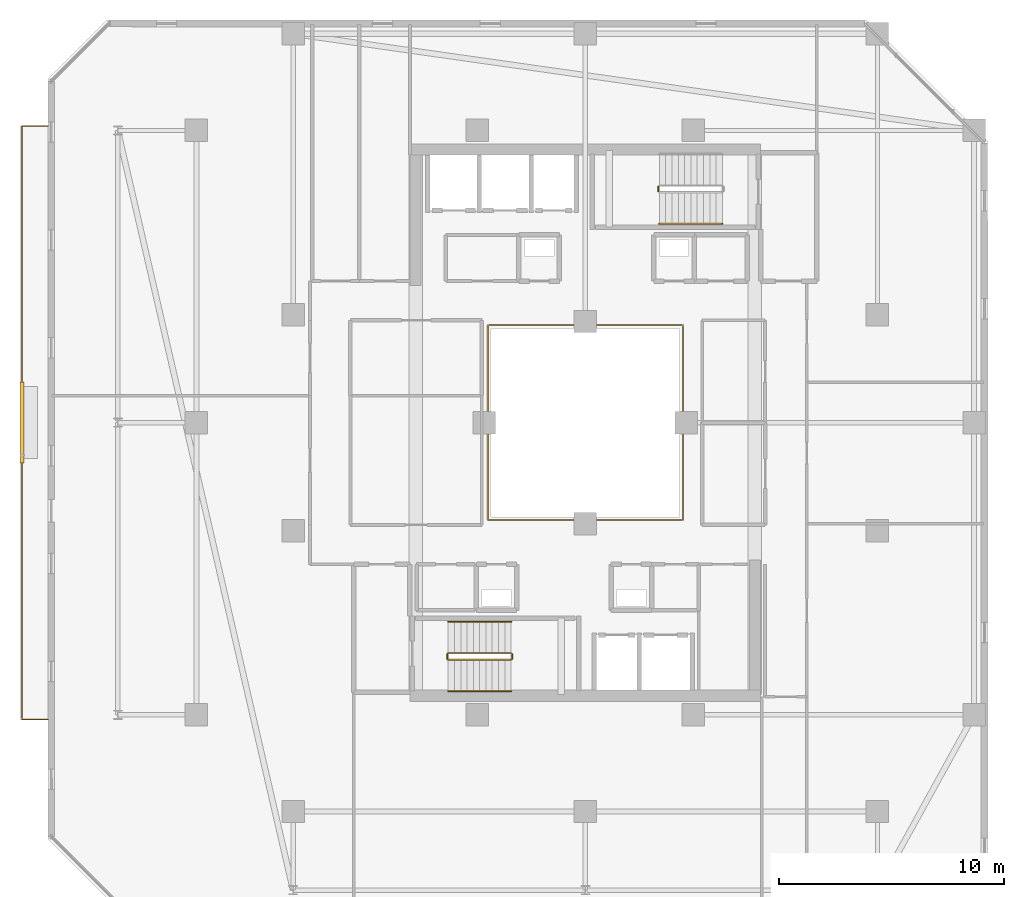
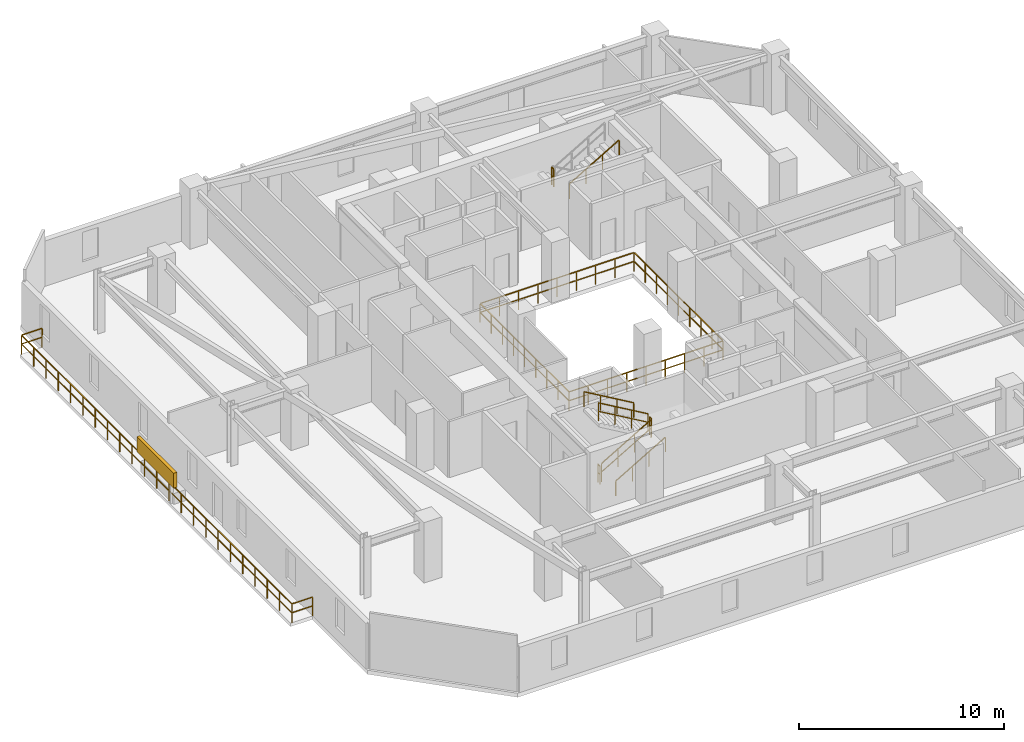
# One storey, part 29 of 32: 10 railings, 1 shading device.
"""IFC4 building model written with IfcOpenShell, lengths in metres."""

from ifc_helpers import new_model, si_unit, direction, frame, origin, origin_2d, place, context, subcontext, project, spatial, rectangle, extrude, material, type_object, element, save


model = new_model("IFC4")

# Units and contexts
model_context = context("Model", 3, precision=1e-05, world=origin(), true_north=direction((0.0, 1.0)))
body_context = subcontext(model_context, "Body", "Model", "MODEL_VIEW")
ifc_project = project(units=[si_unit("LENGTHUNIT", "METRE"), si_unit("AREAUNIT", "SQUARE_METRE"), si_unit("VOLUMEUNIT", "CUBIC_METRE"), si_unit("PLANEANGLEUNIT", "RADIAN"), si_unit("MASSUNIT", "GRAM", prefix="KILO")], contexts=[model_context])

# Site, building, storey
site_placement = place(None, origin())
site = spatial("IfcSite", under=ifc_project, at=site_placement, CompositionType="ELEMENT")
building_placement = place(site_placement, origin())
building = spatial("IfcBuilding", under=site, at=building_placement, Name="Thornwick Lancets Civic Towers", CompositionType="ELEMENT")
storey_placement = place(building_placement, frame((0.0, 0.0, 240.300048828125)))
storey = spatial("IfcBuildingStorey", under=building, at=storey_placement, Name="L64", CompositionType="ELEMENT", Elevation=240.300048828125)

# Railings
ifc_material_1 = material(Name="Laminated glass and bronze steel S355", Category="steel")
railing_type_1 = type_object("IfcRailingType", Name="RAIL_ATRIUM_GUARD", PredefinedType="BALUSTRADE", material=ifc_material_1)
railing_1_placement = place(storey_placement, frame((21.159912109375, 22.659912109375, 0.0)))
element("IfcRailing", 1, at=railing_1_placement, inside=storey, type_object=railing_type_1, Name="L64 Tower A Central Atrium Guard Balustrade", PredefinedType="BALUSTRADE", context=body_context, shape_type="SweptSolid", body=[
    extrude(rectangle(XDim=0.048095703125, YDim=0.048095703125, at=origin_2d()), frame((0.0, 0.0, 1.1259765625), z_axis=(1.0, 0.0, 0.0), x_axis=(0.0, 1.0, 0.0)), (0.0, 0.0, 1.0), 8.64892578125),
    extrude(rectangle(XDim=0.0419921875, YDim=0.0419921875, at=origin_2d()), frame((0.03759765625, 0.0, 0.597900390625), z_axis=(1.0, 0.0, 0.0), x_axis=(0.0, 1.0, 0.0)), (0.0, 0.0, 1.0), 1.010009765625),
    extrude(rectangle(XDim=0.0419921875, YDim=0.0419921875, at=origin_2d()), frame((1.12255859375, 0.0, 0.597900390625), z_axis=(1.0, 0.0, 0.0), x_axis=(0.0, 1.0, 0.0)), (0.0, 0.0, 1.0), 1.010009765625),
    extrude(rectangle(XDim=0.0419921875, YDim=0.0419921875, at=origin_2d()), frame((2.20751953125, 0.0, 0.597900390625), z_axis=(1.0, 0.0, 0.0), x_axis=(0.0, 1.0, 0.0)), (0.0, 0.0, 1.0), 1.010009765625),
    extrude(rectangle(XDim=0.0419921875, YDim=0.0419921875, at=origin_2d()), frame((3.29248046875, 0.0, 0.597900390625), z_axis=(1.0, 0.0, 0.0), x_axis=(0.0, 1.0, 0.0)), (0.0, 0.0, 1.0), 1.010009765625),
    extrude(rectangle(XDim=0.0419921875, YDim=0.0419921875, at=origin_2d()), frame((4.377685546875, 0.0, 0.597900390625), z_axis=(1.0, 0.0, 0.0), x_axis=(0.0, 1.0, 0.0)), (0.0, 0.0, 1.0), 1.010009765625),
    extrude(rectangle(XDim=0.0419921875, YDim=0.0419921875, at=origin_2d()), frame((5.462646484375, 0.0, 0.597900390625), z_axis=(1.0, 0.0, 0.0), x_axis=(0.0, 1.0, 0.0)), (0.0, 0.0, 1.0), 1.010009765625),
    extrude(rectangle(XDim=0.0419921875, YDim=0.0419921875, at=origin_2d()), frame((6.547607421875, 0.0, 0.597900390625), z_axis=(1.0, 0.0, 0.0), x_axis=(0.0, 1.0, 0.0)), (0.0, 0.0, 1.0), 1.010009765625),
    extrude(rectangle(XDim=0.0419921875, YDim=0.0419921875, at=origin_2d()), frame((7.632568359375, 0.0, 0.597900390625), z_axis=(1.0, 0.0, 0.0), x_axis=(0.0, 1.0, 0.0)), (0.0, 0.0, 1.0), 1.010009765625),
    extrude(rectangle(XDim=0.048095703125, YDim=0.048095703125, at=origin_2d()), frame((8.68017578125, 0.03125, 1.1259765625), z_axis=(0.0, 1.0, 0.0), x_axis=(-1.0, 0.0, 0.0)), (0.0, 0.0, 1.0), 8.61767578125),
    extrude(rectangle(XDim=0.0419921875, YDim=0.0419921875, at=origin_2d()), frame((8.68017578125, 0.03759765625, 0.597900390625), z_axis=(0.0, 1.0, 0.0), x_axis=(-1.0, 0.0, 0.0)), (0.0, 0.0, 1.0), 1.010009765625),
    extrude(rectangle(XDim=0.0419921875, YDim=0.0419921875, at=origin_2d()), frame((8.68017578125, 1.12255859375, 0.597900390625), z_axis=(0.0, 1.0, 0.0), x_axis=(-1.0, 0.0, 0.0)), (0.0, 0.0, 1.0), 1.010009765625),
    extrude(rectangle(XDim=0.0419921875, YDim=0.0419921875, at=origin_2d()), frame((8.68017578125, 2.20751953125, 0.597900390625), z_axis=(0.0, 1.0, 0.0), x_axis=(-1.0, 0.0, 0.0)), (0.0, 0.0, 1.0), 1.010009765625),
    extrude(rectangle(XDim=0.0419921875, YDim=0.0419921875, at=origin_2d()), frame((8.68017578125, 3.29248046875, 0.597900390625), z_axis=(0.0, 1.0, 0.0), x_axis=(-1.0, 0.0, 0.0)), (0.0, 0.0, 1.0), 1.010009765625),
    extrude(rectangle(XDim=0.0419921875, YDim=0.0419921875, at=origin_2d()), frame((8.68017578125, 4.377685546875, 0.597900390625), z_axis=(0.0, 1.0, 0.0), x_axis=(-1.0, 0.0, 0.0)), (0.0, 0.0, 1.0), 1.010009765625),
    extrude(rectangle(XDim=0.0419921875, YDim=0.0419921875, at=origin_2d()), frame((8.68017578125, 5.462646484375, 0.597900390625), z_axis=(0.0, 1.0, 0.0), x_axis=(-1.0, 0.0, 0.0)), (0.0, 0.0, 1.0), 1.010009765625),
    extrude(rectangle(XDim=0.0419921875, YDim=0.0419921875, at=origin_2d()), frame((8.68017578125, 6.547607421875, 0.597900390625), z_axis=(0.0, 1.0, 0.0), x_axis=(-1.0, 0.0, 0.0)), (0.0, 0.0, 1.0), 1.010009765625),
    extrude(rectangle(XDim=0.0419921875, YDim=0.0419921875, at=origin_2d()), frame((8.68017578125, 7.632568359375, 0.597900390625), z_axis=(0.0, 1.0, 0.0), x_axis=(-1.0, 0.0, 0.0)), (0.0, 0.0, 1.0), 1.010009765625),
    extrude(rectangle(XDim=0.048095703125, YDim=0.048095703125, at=origin_2d()), frame((8.64892578125, 8.68017578125, 1.1259765625), z_axis=(-1.0, 0.0, 0.0), x_axis=(0.0, -1.0, 0.0)), (0.0, 0.0, 1.0), 8.61767578125),
    extrude(rectangle(XDim=0.0419921875, YDim=0.0419921875, at=origin_2d()), frame((8.642578125, 8.68017578125, 0.597900390625), z_axis=(-1.0, 0.0, 0.0), x_axis=(0.0, -1.0, 0.0)), (0.0, 0.0, 1.0), 1.010009765625),
    extrude(rectangle(XDim=0.0419921875, YDim=0.0419921875, at=origin_2d()), frame((7.5576171875, 8.68017578125, 0.597900390625), z_axis=(-1.0, 0.0, 0.0), x_axis=(0.0, -1.0, 0.0)), (0.0, 0.0, 1.0), 1.010009765625),
    extrude(rectangle(XDim=0.0419921875, YDim=0.0419921875, at=origin_2d()), frame((6.47265625, 8.68017578125, 0.597900390625), z_axis=(-1.0, 0.0, 0.0), x_axis=(0.0, -1.0, 0.0)), (0.0, 0.0, 1.0), 1.010009765625),
    extrude(rectangle(XDim=0.0419921875, YDim=0.0419921875, at=origin_2d()), frame((5.3876953125, 8.68017578125, 0.597900390625), z_axis=(-1.0, 0.0, 0.0), x_axis=(0.0, -1.0, 0.0)), (0.0, 0.0, 1.0), 1.010009765625),
    extrude(rectangle(XDim=0.0419921875, YDim=0.0419921875, at=origin_2d()), frame((4.302490234375, 8.68017578125, 0.597900390625), z_axis=(-1.0, 0.0, 0.0), x_axis=(0.0, -1.0, 0.0)), (0.0, 0.0, 1.0), 1.010009765625),
    extrude(rectangle(XDim=0.0419921875, YDim=0.0419921875, at=origin_2d()), frame((3.217529296875, 8.68017578125, 0.597900390625), z_axis=(-1.0, 0.0, 0.0), x_axis=(0.0, -1.0, 0.0)), (0.0, 0.0, 1.0), 1.010009765625),
    extrude(rectangle(XDim=0.0419921875, YDim=0.0419921875, at=origin_2d()), frame((2.132568359375, 8.68017578125, 0.597900390625), z_axis=(-1.0, 0.0, 0.0), x_axis=(0.0, -1.0, 0.0)), (0.0, 0.0, 1.0), 1.010009765625),
    extrude(rectangle(XDim=0.0419921875, YDim=0.0419921875, at=origin_2d()), frame((1.047607421875, 8.68017578125, 0.597900390625), z_axis=(-1.0, 0.0, 0.0), x_axis=(0.0, -1.0, 0.0)), (0.0, 0.0, 1.0), 1.010009765625),
    extrude(rectangle(XDim=0.048095703125, YDim=0.048095703125, at=origin_2d()), frame((0.0, 8.64892578125, 1.1259765625), z_axis=(0.0, -1.0, 0.0), x_axis=(1.0, 0.0, 0.0)), (0.0, 0.0, 1.0), 8.64892578125),
    extrude(rectangle(XDim=0.0419921875, YDim=0.0419921875, at=origin_2d()), frame((0.0, 8.642578125, 0.597900390625), z_axis=(0.0, -1.0, 0.0), x_axis=(1.0, 0.0, 0.0)), (0.0, 0.0, 1.0), 1.010009765625),
    extrude(rectangle(XDim=0.0419921875, YDim=0.0419921875, at=origin_2d()), frame((0.0, 7.5576171875, 0.597900390625), z_axis=(0.0, -1.0, 0.0), x_axis=(1.0, 0.0, 0.0)), (0.0, 0.0, 1.0), 1.010009765625),
    extrude(rectangle(XDim=0.0419921875, YDim=0.0419921875, at=origin_2d()), frame((0.0, 6.47265625, 0.597900390625), z_axis=(0.0, -1.0, 0.0), x_axis=(1.0, 0.0, 0.0)), (0.0, 0.0, 1.0), 1.010009765625),
    extrude(rectangle(XDim=0.0419921875, YDim=0.0419921875, at=origin_2d()), frame((0.0, 5.3876953125, 0.597900390625), z_axis=(0.0, -1.0, 0.0), x_axis=(1.0, 0.0, 0.0)), (0.0, 0.0, 1.0), 1.010009765625),
    extrude(rectangle(XDim=0.0419921875, YDim=0.0419921875, at=origin_2d()), frame((0.0, 4.302490234375, 0.597900390625), z_axis=(0.0, -1.0, 0.0), x_axis=(1.0, 0.0, 0.0)), (0.0, 0.0, 1.0), 1.010009765625),
    extrude(rectangle(XDim=0.0419921875, YDim=0.0419921875, at=origin_2d()), frame((0.0, 3.217529296875, 0.597900390625), z_axis=(0.0, -1.0, 0.0), x_axis=(1.0, 0.0, 0.0)), (0.0, 0.0, 1.0), 1.010009765625),
    extrude(rectangle(XDim=0.0419921875, YDim=0.0419921875, at=origin_2d()), frame((0.0, 2.132568359375, 0.597900390625), z_axis=(0.0, -1.0, 0.0), x_axis=(1.0, 0.0, 0.0)), (0.0, 0.0, 1.0), 1.010009765625),
    extrude(rectangle(XDim=0.0419921875, YDim=0.0419921875, at=origin_2d()), frame((0.0, 1.047607421875, 0.597900390625), z_axis=(0.0, -1.0, 0.0), x_axis=(1.0, 0.0, 0.0)), (0.0, 0.0, 1.0), 1.010009765625),
    extrude(rectangle(XDim=0.0419921875, YDim=0.0419921875, at=origin_2d()), origin(), (0.0, 0.0, 1.0), 1.095703125),
    extrude(rectangle(XDim=0.0419921875, YDim=0.0419921875, at=origin_2d()), frame((1.0849609375, 0.0, 0.0)), (0.0, 0.0, 1.0), 1.095703125),
    extrude(rectangle(XDim=0.0419921875, YDim=0.0419921875, at=origin_2d()), frame((2.169921875, 0.0, 0.0)), (0.0, 0.0, 1.0), 1.095703125),
    extrude(rectangle(XDim=0.0419921875, YDim=0.0419921875, at=origin_2d()), frame((3.255126953125, 0.0, 0.0)), (0.0, 0.0, 1.0), 1.095703125),
    extrude(rectangle(XDim=0.0419921875, YDim=0.0419921875, at=origin_2d()), frame((4.340087890625, 0.0, 0.0)), (0.0, 0.0, 1.0), 1.095703125),
    extrude(rectangle(XDim=0.0419921875, YDim=0.0419921875, at=origin_2d()), frame((5.425048828125, 0.0, 0.0)), (0.0, 0.0, 1.0), 1.095703125),
    extrude(rectangle(XDim=0.0419921875, YDim=0.0419921875, at=origin_2d()), frame((6.51025390625, 0.0, 0.0)), (0.0, 0.0, 1.0), 1.095703125),
    extrude(rectangle(XDim=0.0419921875, YDim=0.0419921875, at=origin_2d()), frame((7.59521484375, 0.0, 0.0)), (0.0, 0.0, 1.0), 1.095703125),
    extrude(rectangle(XDim=0.0419921875, YDim=0.0419921875, at=origin_2d()), frame((8.68017578125, 0.0, 0.0)), (0.0, 0.0, 1.0), 1.095703125),
    extrude(rectangle(XDim=0.0419921875, YDim=0.0419921875, at=origin_2d()), frame((8.68017578125, 1.0849609375, 0.0)), (0.0, 0.0, 1.0), 1.095703125),
    extrude(rectangle(XDim=0.0419921875, YDim=0.0419921875, at=origin_2d()), frame((8.68017578125, 2.169921875, 0.0)), (0.0, 0.0, 1.0), 1.095703125),
    extrude(rectangle(XDim=0.0419921875, YDim=0.0419921875, at=origin_2d()), frame((8.68017578125, 3.255126953125, 0.0)), (0.0, 0.0, 1.0), 1.095703125),
    extrude(rectangle(XDim=0.0419921875, YDim=0.0419921875, at=origin_2d()), frame((8.68017578125, 4.340087890625, 0.0)), (0.0, 0.0, 1.0), 1.095703125),
    extrude(rectangle(XDim=0.0419921875, YDim=0.0419921875, at=origin_2d()), frame((8.68017578125, 5.425048828125, 0.0)), (0.0, 0.0, 1.0), 1.095703125),
    extrude(rectangle(XDim=0.0419921875, YDim=0.0419921875, at=origin_2d()), frame((8.68017578125, 6.51025390625, 0.0)), (0.0, 0.0, 1.0), 1.095703125),
    extrude(rectangle(XDim=0.0419921875, YDim=0.0419921875, at=origin_2d()), frame((8.68017578125, 7.59521484375, 0.0)), (0.0, 0.0, 1.0), 1.095703125),
    extrude(rectangle(XDim=0.0419921875, YDim=0.0419921875, at=origin_2d()), frame((8.68017578125, 8.68017578125, 0.0)), (0.0, 0.0, 1.0), 1.095703125),
    extrude(rectangle(XDim=0.0419921875, YDim=0.0419921875, at=origin_2d()), frame((7.59521484375, 8.68017578125, 0.0)), (0.0, 0.0, 1.0), 1.095703125),
    extrude(rectangle(XDim=0.0419921875, YDim=0.0419921875, at=origin_2d()), frame((6.51025390625, 8.68017578125, 0.0)), (0.0, 0.0, 1.0), 1.095703125),
    extrude(rectangle(XDim=0.0419921875, YDim=0.0419921875, at=origin_2d()), frame((5.425048828125, 8.68017578125, 0.0)), (0.0, 0.0, 1.0), 1.095703125),
    extrude(rectangle(XDim=0.0419921875, YDim=0.0419921875, at=origin_2d()), frame((4.340087890625, 8.68017578125, 0.0)), (0.0, 0.0, 1.0), 1.095703125),
    extrude(rectangle(XDim=0.0419921875, YDim=0.0419921875, at=origin_2d()), frame((3.255126953125, 8.68017578125, 0.0)), (0.0, 0.0, 1.0), 1.095703125),
    extrude(rectangle(XDim=0.0419921875, YDim=0.0419921875, at=origin_2d()), frame((2.169921875, 8.68017578125, 0.0)), (0.0, 0.0, 1.0), 1.095703125),
    extrude(rectangle(XDim=0.0419921875, YDim=0.0419921875, at=origin_2d()), frame((1.0849609375, 8.68017578125, 0.0)), (0.0, 0.0, 1.0), 1.095703125),
    extrude(rectangle(XDim=0.0419921875, YDim=0.0419921875, at=origin_2d()), frame((0.0, 8.68017578125, 0.0)), (0.0, 0.0, 1.0), 1.095703125),
    extrude(rectangle(XDim=0.0419921875, YDim=0.0419921875, at=origin_2d()), frame((0.0, 7.59521484375, 0.0)), (0.0, 0.0, 1.0), 1.095703125),
    extrude(rectangle(XDim=0.0419921875, YDim=0.0419921875, at=origin_2d()), frame((0.0, 6.51025390625, 0.0)), (0.0, 0.0, 1.0), 1.095703125),
    extrude(rectangle(XDim=0.0419921875, YDim=0.0419921875, at=origin_2d()), frame((0.0, 5.425048828125, 0.0)), (0.0, 0.0, 1.0), 1.095703125),
    extrude(rectangle(XDim=0.0419921875, YDim=0.0419921875, at=origin_2d()), frame((0.0, 4.340087890625, 0.0)), (0.0, 0.0, 1.0), 1.095703125),
    extrude(rectangle(XDim=0.0419921875, YDim=0.0419921875, at=origin_2d()), frame((0.0, 3.255126953125, 0.0)), (0.0, 0.0, 1.0), 1.095703125),
    extrude(rectangle(XDim=0.0419921875, YDim=0.0419921875, at=origin_2d()), frame((0.0, 2.169921875, 0.0)), (0.0, 0.0, 1.0), 1.095703125),
    extrude(rectangle(XDim=0.0419921875, YDim=0.0419921875, at=origin_2d()), frame((0.0, 1.0849609375, 0.0)), (0.0, 0.0, 1.0), 1.095703125),
])
ifc_material_2 = material(Name="Brushed stainless steel S355", Category="steel")
railing_type_2 = type_object("IfcRailingType", Name="RAIL_HANDRAIL", PredefinedType="HANDRAIL", material=ifc_material_2)
railing_2_placement = place(storey_placement, frame((19.39990234375, 15.050048828125, 0.16357421875)))
element("IfcRailing", 2, at=railing_2_placement, inside=storey, type_object=railing_type_2, Name="L64 ST-A1 stair handrail 1", PredefinedType="HANDRAIL", context=body_context, shape_type="SweptSolid", body=[
    extrude(rectangle(XDim=0.048095703125, YDim=0.048095703125, at=origin_2d()), frame((0.0, 0.0, 0.8857421875), z_axis=(0.863360870873, 0.0, 0.504586966384), x_axis=(0.0, 1.0, 0.0)), (0.0, 0.0, 1.0), 3.2431640625),
    extrude(rectangle(XDim=0.0419921875, YDim=0.0419921875, at=origin_2d()), origin(), (0.0, 0.0, 1.0), 0.855712890625),
    extrude(rectangle(XDim=0.0419921875, YDim=0.0419921875, at=origin_2d()), frame((0.933349609375, 0.0, 0.54541015625)), (0.0, 0.0, 1.0), 0.855712890625),
    extrude(rectangle(XDim=0.0419921875, YDim=0.0419921875, at=origin_2d()), frame((1.86669921875, 0.0, 1.091064453125)), (0.0, 0.0, 1.0), 0.855712890625),
    extrude(rectangle(XDim=0.0419921875, YDim=0.0419921875, at=origin_2d()), frame((2.800048828125, 0.0, 1.636474609375)), (0.0, 0.0, 1.0), 0.855712890625),
])
railing_3_placement = place(storey_placement, frame((22.199951171875, 18.14990234375, 1.963623046875)))
element("IfcRailing", 3, at=railing_3_placement, inside=storey, type_object=railing_type_2, Name="L64 ST-A1 stair handrail 2", PredefinedType="HANDRAIL", context=body_context, shape_type="SweptSolid", body=[
    extrude(rectangle(XDim=0.048095703125, YDim=0.048095703125, at=origin_2d()), frame((0.0, 0.0, 0.8857421875), z_axis=(-0.863393664356, 0.0, 0.504530851732), x_axis=(0.0, -1.0, 0.0)), (0.0, 0.0, 1.0), 3.2431640625),
    extrude(rectangle(XDim=0.0419921875, YDim=0.0419921875, at=origin_2d()), origin(), (0.0, 0.0, 1.0), 0.855712890625),
    extrude(rectangle(XDim=0.0419921875, YDim=0.0419921875, at=origin_2d()), frame((-0.933349609375, 0.0, 0.54541015625)), (0.0, 0.0, 1.0), 0.855712890625),
    extrude(rectangle(XDim=0.0419921875, YDim=0.0419921875, at=origin_2d()), frame((-1.86669921875, 0.0, 1.0908203125)), (0.0, 0.0, 1.0), 0.855712890625),
    extrude(rectangle(XDim=0.0419921875, YDim=0.0419921875, at=origin_2d()), frame((-2.800048828125, 0.0, 1.63623046875)), (0.0, 0.0, 1.0), 0.855712890625),
])
railing_4_placement = place(storey_placement, frame((28.800048828125, 35.85009765625, 1.963623046875)))
element("IfcRailing", 4, at=railing_4_placement, inside=storey, type_object=railing_type_2, Name="L64 ST-A2 stair handrail 2", PredefinedType="HANDRAIL", context=body_context, shape_type="SweptSolid", body=[
    extrude(rectangle(XDim=0.048095703125, YDim=0.048095703125, at=origin_2d()), frame((0.0, 0.0, 0.8857421875), z_axis=(0.863393664356, 0.0, 0.504530851732), x_axis=(0.0, 1.0, 0.0)), (0.0, 0.0, 1.0), 3.2431640625),
    extrude(rectangle(XDim=0.0419921875, YDim=0.0419921875, at=origin_2d()), origin(), (0.0, 0.0, 1.0), 0.855712890625),
    extrude(rectangle(XDim=0.0419921875, YDim=0.0419921875, at=origin_2d()), frame((0.933349609375, 0.0, 0.54541015625)), (0.0, 0.0, 1.0), 0.855712890625),
    extrude(rectangle(XDim=0.0419921875, YDim=0.0419921875, at=origin_2d()), frame((1.86669921875, 0.0, 1.0908203125)), (0.0, 0.0, 1.0), 0.855712890625),
    extrude(rectangle(XDim=0.0419921875, YDim=0.0419921875, at=origin_2d()), frame((2.800048828125, 0.0, 1.63623046875)), (0.0, 0.0, 1.0), 0.855712890625),
])
ifc_material_3 = material(Name="Steel S355JR", Category="steel")
railing_type_3 = type_object("IfcRailingType", Name="RAIL_STAIR_GUARD", PredefinedType="GUARDRAIL", material=ifc_material_3)
railing_5_placement = place(storey_placement, frame((19.39990234375, 16.449951171875, 0.16357421875)))
element("IfcRailing", 5, at=railing_5_placement, inside=storey, type_object=railing_type_3, Name="L64 ST-A1 stair guard 1", PredefinedType="GUARDRAIL", context=body_context, shape_type="SweptSolid", body=[
    extrude(rectangle(XDim=0.048095703125, YDim=0.048095703125, at=origin_2d()), frame((0.0, 0.0, 1.076171875), z_axis=(0.863360870873, 0.0, 0.504586966384), x_axis=(0.0, 1.0, 0.0)), (0.0, 0.0, 1.0), 3.2431640625),
    extrude(rectangle(XDim=0.0419921875, YDim=0.0419921875, at=origin_2d()), frame((0.032470703125, 0.0, 0.591064453125), z_axis=(0.863360870873, 0.0, 0.504586966384), x_axis=(0.0, 1.0, 0.0)), (0.0, 0.0, 1.0), 1.006103515625),
    extrude(rectangle(XDim=0.0419921875, YDim=0.0419921875, at=origin_2d()), frame((0.9658203125, 0.0, 1.136474609375), z_axis=(0.863360870873, 0.0, 0.504586966384), x_axis=(0.0, 1.0, 0.0)), (0.0, 0.0, 1.0), 1.006103515625),
    extrude(rectangle(XDim=0.0419921875, YDim=0.0419921875, at=origin_2d()), frame((1.899169921875, 0.0, 1.681884765625), z_axis=(0.863360870873, 0.0, 0.504586966384), x_axis=(0.0, 1.0, 0.0)), (0.0, 0.0, 1.0), 1.006103515625),
    extrude(rectangle(XDim=0.0419921875, YDim=0.0419921875, at=origin_2d()), origin(), (0.0, 0.0, 1.0), 1.0458984375),
    extrude(rectangle(XDim=0.0419921875, YDim=0.0419921875, at=origin_2d()), frame((0.933349609375, 0.0, 0.54541015625)), (0.0, 0.0, 1.0), 1.0458984375),
    extrude(rectangle(XDim=0.0419921875, YDim=0.0419921875, at=origin_2d()), frame((1.86669921875, 0.0, 1.091064453125)), (0.0, 0.0, 1.0), 1.0458984375),
    extrude(rectangle(XDim=0.0419921875, YDim=0.0419921875, at=origin_2d()), frame((2.800048828125, 0.0, 1.636474609375)), (0.0, 0.0, 1.0), 1.0458984375),
])
railing_6_placement = place(storey_placement, frame((22.25, 16.5, 1.800048828125)))
element("IfcRailing", 6, at=railing_6_placement, inside=storey, type_object=railing_type_3, Name="L64 ST-A1 stair guard 2", PredefinedType="GUARDRAIL", context=body_context, shape_type="SweptSolid", body=[
    extrude(rectangle(XDim=0.048095703125, YDim=0.048095703125, at=origin_2d()), frame((0.0, 0.0, 1.076171875), z_axis=(0.0, 1.0, 0.0), x_axis=(-1.0, 0.0, 0.0)), (0.0, 0.0, 1.0), 0.199951171875),
    extrude(rectangle(XDim=0.0419921875, YDim=0.0419921875, at=origin_2d()), frame((0.0, 0.03759765625, 0.572021484375), z_axis=(0.0, 1.0, 0.0), x_axis=(-1.0, 0.0, 0.0)), (0.0, 0.0, 1.0), 0.125),
    extrude(rectangle(XDim=0.0419921875, YDim=0.0419921875, at=origin_2d()), origin(), (0.0, 0.0, 1.0), 1.0458984375),
    extrude(rectangle(XDim=0.0419921875, YDim=0.0419921875, at=origin_2d()), frame((0.0, 0.199951171875, 0.0)), (0.0, 0.0, 1.0), 1.0458984375),
])
railing_7_placement = place(storey_placement, frame((22.199951171875, 16.75, 1.963623046875)))
element("IfcRailing", 7, at=railing_7_placement, inside=storey, type_object=railing_type_3, Name="L64 ST-A1 stair guard 3", PredefinedType="GUARDRAIL", context=body_context, shape_type="SweptSolid", body=[
    extrude(rectangle(XDim=0.048095703125, YDim=0.048095703125, at=origin_2d()), frame((0.0, 0.0, 1.076171875), z_axis=(-0.863393664356, 0.0, 0.504530851732), x_axis=(0.0, -1.0, 0.0)), (0.0, 0.0, 1.0), 3.2431640625),
    extrude(rectangle(XDim=0.0419921875, YDim=0.0419921875, at=origin_2d()), frame((-0.032470703125, 0.0, 0.591064453125), z_axis=(-0.863393664356, 0.0, 0.504530851732), x_axis=(0.0, -1.0, 0.0)), (0.0, 0.0, 1.0), 1.006103515625),
    extrude(rectangle(XDim=0.0419921875, YDim=0.0419921875, at=origin_2d()), frame((-0.9658203125, 0.0, 1.136474609375), z_axis=(-0.863393664356, 0.0, 0.504530851732), x_axis=(0.0, -1.0, 0.0)), (0.0, 0.0, 1.0), 1.006103515625),
    extrude(rectangle(XDim=0.0419921875, YDim=0.0419921875, at=origin_2d()), frame((-1.899169921875, 0.0, 1.681884765625), z_axis=(-0.863393664356, 0.0, 0.504530851732), x_axis=(0.0, -1.0, 0.0)), (0.0, 0.0, 1.0), 1.006103515625),
    extrude(rectangle(XDim=0.0419921875, YDim=0.0419921875, at=origin_2d()), origin(), (0.0, 0.0, 1.0), 1.0458984375),
    extrude(rectangle(XDim=0.0419921875, YDim=0.0419921875, at=origin_2d()), frame((-0.933349609375, 0.0, 0.54541015625)), (0.0, 0.0, 1.0), 1.0458984375),
    extrude(rectangle(XDim=0.0419921875, YDim=0.0419921875, at=origin_2d()), frame((-1.86669921875, 0.0, 1.0908203125)), (0.0, 0.0, 1.0), 1.0458984375),
    extrude(rectangle(XDim=0.0419921875, YDim=0.0419921875, at=origin_2d()), frame((-2.800048828125, 0.0, 1.63623046875)), (0.0, 0.0, 1.0), 1.0458984375),
])
railing_8_placement = place(storey_placement, frame((19.35009765625, 16.5, 0.0)))
element("IfcRailing", 8, at=railing_8_placement, inside=storey, type_object=railing_type_3, Name="L64 ST-A1 stair guard 4", PredefinedType="GUARDRAIL", context=body_context, shape_type="SweptSolid", body=[
    extrude(rectangle(XDim=0.048095703125, YDim=0.048095703125, at=origin_2d()), frame((0.0, 0.0, 1.076171875), z_axis=(0.0, 1.0, 0.0), x_axis=(-1.0, 0.0, 0.0)), (0.0, 0.0, 1.0), 0.199951171875),
    extrude(rectangle(XDim=0.0419921875, YDim=0.0419921875, at=origin_2d()), frame((0.0, 0.03759765625, 0.572021484375), z_axis=(0.0, 1.0, 0.0), x_axis=(-1.0, 0.0, 0.0)), (0.0, 0.0, 1.0), 0.125),
    extrude(rectangle(XDim=0.0419921875, YDim=0.0419921875, at=origin_2d()), origin(), (0.0, 0.0, 1.0), 1.0458984375),
    extrude(rectangle(XDim=0.0419921875, YDim=0.0419921875, at=origin_2d()), frame((0.0, 0.199951171875, 0.0)), (0.0, 0.0, 1.0), 1.0458984375),
])
railing_9_placement = place(storey_placement, frame((28.75, 37.5, 1.800048828125)))
element("IfcRailing", 9, at=railing_9_placement, inside=storey, type_object=railing_type_3, Name="L64 ST-A2 stair guard 2", PredefinedType="GUARDRAIL", context=body_context, shape_type="SweptSolid", body=[
    extrude(rectangle(XDim=0.048095703125, YDim=0.048095703125, at=origin_2d()), frame((0.0, 0.0, 1.076171875), z_axis=(0.0, -1.0, 0.0), x_axis=(1.0, 0.0, 0.0)), (0.0, 0.0, 1.0), 0.199951171875),
    extrude(rectangle(XDim=0.0419921875, YDim=0.0419921875, at=origin_2d()), frame((0.0, -0.03759765625, 0.572021484375), z_axis=(0.0, -1.0, 0.0), x_axis=(1.0, 0.0, 0.0)), (0.0, 0.0, 1.0), 0.125),
    extrude(rectangle(XDim=0.0419921875, YDim=0.0419921875, at=origin_2d()), origin(), (0.0, 0.0, 1.0), 1.0458984375),
    extrude(rectangle(XDim=0.0419921875, YDim=0.0419921875, at=origin_2d()), frame((0.0, -0.199951171875, 0.0)), (0.0, 0.0, 1.0), 1.0458984375),
])
ifc_material_4 = material(Name="Terracotta-capped laminated glass balustrade S355", Category="masonry")
railing_type_4 = type_object("IfcRailingType", Name="RAIL_TERR_GUARD", PredefinedType="GUARDRAIL", material=ifc_material_4)
railing_10_placement = place(storey_placement, frame((1.60009765625, 13.800048828125, 0.0)))
element("IfcRailing", 10, at=railing_10_placement, inside=storey, type_object=railing_type_4, Name="L64 Tower A Balcony Guard W", PredefinedType="GUARDRAIL", context=body_context, shape_type="SweptSolid", body=[
    extrude(rectangle(XDim=0.048095703125, YDim=0.048095703125, at=origin_2d()), frame((0.0, 0.0, 1.1259765625), z_axis=(-1.0, 0.0, 0.0), x_axis=(0.0, -1.0, 0.0)), (0.0, 0.0, 1.0), 1.138916015625),
    extrude(rectangle(XDim=0.0419921875, YDim=0.0419921875, at=origin_2d()), frame((-0.03759765625, 0.0, 0.597900390625), z_axis=(-1.0, 0.0, 0.0), x_axis=(0.0, -1.0, 0.0)), (0.0, 0.0, 1.0), 1.09521484375),
    extrude(rectangle(XDim=0.048095703125, YDim=0.048095703125, at=origin_2d()), frame((-1.170166015625, 0.03125, 1.1259765625), z_axis=(0.0, 1.0, 0.0), x_axis=(-1.0, 0.0, 0.0)), (0.0, 0.0, 1.0), 26.33740234375),
    extrude(rectangle(XDim=0.0419921875, YDim=0.0419921875, at=origin_2d()), frame((-1.170166015625, 0.03759765625, 0.597900390625), z_axis=(0.0, 1.0, 0.0), x_axis=(-1.0, 0.0, 0.0)), (0.0, 0.0, 1.0), 1.125),
    extrude(rectangle(XDim=0.0419921875, YDim=0.0419921875, at=origin_2d()), frame((-1.170166015625, 1.237548828125, 0.597900390625), z_axis=(0.0, 1.0, 0.0), x_axis=(-1.0, 0.0, 0.0)), (0.0, 0.0, 1.0), 1.125),
    extrude(rectangle(XDim=0.0419921875, YDim=0.0419921875, at=origin_2d()), frame((-1.170166015625, 2.4375, 0.597900390625), z_axis=(0.0, 1.0, 0.0), x_axis=(-1.0, 0.0, 0.0)), (0.0, 0.0, 1.0), 1.125),
    extrude(rectangle(XDim=0.0419921875, YDim=0.0419921875, at=origin_2d()), frame((-1.170166015625, 3.637451171875, 0.597900390625), z_axis=(0.0, 1.0, 0.0), x_axis=(-1.0, 0.0, 0.0)), (0.0, 0.0, 1.0), 1.125),
    extrude(rectangle(XDim=0.0419921875, YDim=0.0419921875, at=origin_2d()), frame((-1.170166015625, 4.83740234375, 0.597900390625), z_axis=(0.0, 1.0, 0.0), x_axis=(-1.0, 0.0, 0.0)), (0.0, 0.0, 1.0), 1.125),
    extrude(rectangle(XDim=0.0419921875, YDim=0.0419921875, at=origin_2d()), frame((-1.170166015625, 6.037353515625, 0.597900390625), z_axis=(0.0, 1.0, 0.0), x_axis=(-1.0, 0.0, 0.0)), (0.0, 0.0, 1.0), 1.125),
    extrude(rectangle(XDim=0.0419921875, YDim=0.0419921875, at=origin_2d()), frame((-1.170166015625, 7.237548828125, 0.597900390625), z_axis=(0.0, 1.0, 0.0), x_axis=(-1.0, 0.0, 0.0)), (0.0, 0.0, 1.0), 1.125),
    extrude(rectangle(XDim=0.0419921875, YDim=0.0419921875, at=origin_2d()), frame((-1.170166015625, 8.4375, 0.597900390625), z_axis=(0.0, 1.0, 0.0), x_axis=(-1.0, 0.0, 0.0)), (0.0, 0.0, 1.0), 1.125),
    extrude(rectangle(XDim=0.0419921875, YDim=0.0419921875, at=origin_2d()), frame((-1.170166015625, 9.637451171875, 0.597900390625), z_axis=(0.0, 1.0, 0.0), x_axis=(-1.0, 0.0, 0.0)), (0.0, 0.0, 1.0), 1.125),
    extrude(rectangle(XDim=0.0419921875, YDim=0.0419921875, at=origin_2d()), frame((-1.170166015625, 10.83740234375, 0.597900390625), z_axis=(0.0, 1.0, 0.0), x_axis=(-1.0, 0.0, 0.0)), (0.0, 0.0, 1.0), 1.125),
    extrude(rectangle(XDim=0.0419921875, YDim=0.0419921875, at=origin_2d()), frame((-1.170166015625, 12.037353515625, 0.597900390625), z_axis=(0.0, 1.0, 0.0), x_axis=(-1.0, 0.0, 0.0)), (0.0, 0.0, 1.0), 1.125),
    extrude(rectangle(XDim=0.0419921875, YDim=0.0419921875, at=origin_2d()), frame((-1.170166015625, 13.237548828125, 0.597900390625), z_axis=(0.0, 1.0, 0.0), x_axis=(-1.0, 0.0, 0.0)), (0.0, 0.0, 1.0), 1.125),
    extrude(rectangle(XDim=0.0419921875, YDim=0.0419921875, at=origin_2d()), frame((-1.170166015625, 14.4375, 0.597900390625), z_axis=(0.0, 1.0, 0.0), x_axis=(-1.0, 0.0, 0.0)), (0.0, 0.0, 1.0), 1.125),
    extrude(rectangle(XDim=0.0419921875, YDim=0.0419921875, at=origin_2d()), frame((-1.170166015625, 15.637451171875, 0.597900390625), z_axis=(0.0, 1.0, 0.0), x_axis=(-1.0, 0.0, 0.0)), (0.0, 0.0, 1.0), 1.125),
    extrude(rectangle(XDim=0.0419921875, YDim=0.0419921875, at=origin_2d()), frame((-1.170166015625, 16.83740234375, 0.597900390625), z_axis=(0.0, 1.0, 0.0), x_axis=(-1.0, 0.0, 0.0)), (0.0, 0.0, 1.0), 1.125),
    extrude(rectangle(XDim=0.0419921875, YDim=0.0419921875, at=origin_2d()), frame((-1.170166015625, 18.037353515625, 0.597900390625), z_axis=(0.0, 1.0, 0.0), x_axis=(-1.0, 0.0, 0.0)), (0.0, 0.0, 1.0), 1.125),
    extrude(rectangle(XDim=0.0419921875, YDim=0.0419921875, at=origin_2d()), frame((-1.170166015625, 19.2373046875, 0.597900390625), z_axis=(0.0, 1.0, 0.0), x_axis=(-1.0, 0.0, 0.0)), (0.0, 0.0, 1.0), 1.125),
    extrude(rectangle(XDim=0.0419921875, YDim=0.0419921875, at=origin_2d()), frame((-1.170166015625, 20.4375, 0.597900390625), z_axis=(0.0, 1.0, 0.0), x_axis=(-1.0, 0.0, 0.0)), (0.0, 0.0, 1.0), 1.125),
    extrude(rectangle(XDim=0.0419921875, YDim=0.0419921875, at=origin_2d()), frame((-1.170166015625, 21.637451171875, 0.597900390625), z_axis=(0.0, 1.0, 0.0), x_axis=(-1.0, 0.0, 0.0)), (0.0, 0.0, 1.0), 1.125),
    extrude(rectangle(XDim=0.0419921875, YDim=0.0419921875, at=origin_2d()), frame((-1.170166015625, 22.83740234375, 0.597900390625), z_axis=(0.0, 1.0, 0.0), x_axis=(-1.0, 0.0, 0.0)), (0.0, 0.0, 1.0), 1.125),
    extrude(rectangle(XDim=0.0419921875, YDim=0.0419921875, at=origin_2d()), frame((-1.170166015625, 24.037353515625, 0.597900390625), z_axis=(0.0, 1.0, 0.0), x_axis=(-1.0, 0.0, 0.0)), (0.0, 0.0, 1.0), 1.125),
    extrude(rectangle(XDim=0.0419921875, YDim=0.0419921875, at=origin_2d()), frame((-1.170166015625, 25.2373046875, 0.597900390625), z_axis=(0.0, 1.0, 0.0), x_axis=(-1.0, 0.0, 0.0)), (0.0, 0.0, 1.0), 1.125),
    extrude(rectangle(XDim=0.048095703125, YDim=0.048095703125, at=origin_2d()), frame((-1.138916015625, 26.39990234375, 1.1259765625), z_axis=(1.0, 0.0, 0.0), x_axis=(0.0, 1.0, 0.0)), (0.0, 0.0, 1.0), 1.138916015625),
    extrude(rectangle(XDim=0.0419921875, YDim=0.0419921875, at=origin_2d()), frame((-1.132568359375, 26.39990234375, 0.597900390625), z_axis=(1.0, 0.0, 0.0), x_axis=(0.0, 1.0, 0.0)), (0.0, 0.0, 1.0), 1.09521484375),
    extrude(rectangle(XDim=0.0419921875, YDim=0.0419921875, at=origin_2d()), origin(), (0.0, 0.0, 1.0), 1.095703125),
    extrude(rectangle(XDim=0.0419921875, YDim=0.0419921875, at=origin_2d()), frame((-1.170166015625, 0.0, 0.0)), (0.0, 0.0, 1.0), 1.095703125),
    extrude(rectangle(XDim=0.0419921875, YDim=0.0419921875, at=origin_2d()), frame((-1.170166015625, 1.199951171875, 0.0)), (0.0, 0.0, 1.0), 1.095703125),
    extrude(rectangle(XDim=0.0419921875, YDim=0.0419921875, at=origin_2d()), frame((-1.170166015625, 2.39990234375, 0.0)), (0.0, 0.0, 1.0), 1.095703125),
    extrude(rectangle(XDim=0.0419921875, YDim=0.0419921875, at=origin_2d()), frame((-1.170166015625, 3.60009765625, 0.0)), (0.0, 0.0, 1.0), 1.095703125),
    extrude(rectangle(XDim=0.0419921875, YDim=0.0419921875, at=origin_2d()), frame((-1.170166015625, 4.800048828125, 0.0)), (0.0, 0.0, 1.0), 1.095703125),
    extrude(rectangle(XDim=0.0419921875, YDim=0.0419921875, at=origin_2d()), frame((-1.170166015625, 6.0, 0.0)), (0.0, 0.0, 1.0), 1.095703125),
    extrude(rectangle(XDim=0.0419921875, YDim=0.0419921875, at=origin_2d()), frame((-1.170166015625, 7.199951171875, 0.0)), (0.0, 0.0, 1.0), 1.095703125),
    extrude(rectangle(XDim=0.0419921875, YDim=0.0419921875, at=origin_2d()), frame((-1.170166015625, 8.39990234375, 0.0)), (0.0, 0.0, 1.0), 1.095703125),
    extrude(rectangle(XDim=0.0419921875, YDim=0.0419921875, at=origin_2d()), frame((-1.170166015625, 9.599853515625, 0.0)), (0.0, 0.0, 1.0), 1.095703125),
    extrude(rectangle(XDim=0.0419921875, YDim=0.0419921875, at=origin_2d()), frame((-1.170166015625, 10.800048828125, 0.0)), (0.0, 0.0, 1.0), 1.095703125),
    extrude(rectangle(XDim=0.0419921875, YDim=0.0419921875, at=origin_2d()), frame((-1.170166015625, 12.0, 0.0)), (0.0, 0.0, 1.0), 1.095703125),
    extrude(rectangle(XDim=0.0419921875, YDim=0.0419921875, at=origin_2d()), frame((-1.170166015625, 13.199951171875, 0.0)), (0.0, 0.0, 1.0), 1.095703125),
    extrude(rectangle(XDim=0.0419921875, YDim=0.0419921875, at=origin_2d()), frame((-1.170166015625, 14.39990234375, 0.0)), (0.0, 0.0, 1.0), 1.095703125),
    extrude(rectangle(XDim=0.0419921875, YDim=0.0419921875, at=origin_2d()), frame((-1.170166015625, 15.599853515625, 0.0)), (0.0, 0.0, 1.0), 1.095703125),
    extrude(rectangle(XDim=0.0419921875, YDim=0.0419921875, at=origin_2d()), frame((-1.170166015625, 16.800048828125, 0.0)), (0.0, 0.0, 1.0), 1.095703125),
    extrude(rectangle(XDim=0.0419921875, YDim=0.0419921875, at=origin_2d()), frame((-1.170166015625, 18.0, 0.0)), (0.0, 0.0, 1.0), 1.095703125),
    extrude(rectangle(XDim=0.0419921875, YDim=0.0419921875, at=origin_2d()), frame((-1.170166015625, 19.199951171875, 0.0)), (0.0, 0.0, 1.0), 1.095703125),
    extrude(rectangle(XDim=0.0419921875, YDim=0.0419921875, at=origin_2d()), frame((-1.170166015625, 20.39990234375, 0.0)), (0.0, 0.0, 1.0), 1.095703125),
    extrude(rectangle(XDim=0.0419921875, YDim=0.0419921875, at=origin_2d()), frame((-1.170166015625, 21.599853515625, 0.0)), (0.0, 0.0, 1.0), 1.095703125),
    extrude(rectangle(XDim=0.0419921875, YDim=0.0419921875, at=origin_2d()), frame((-1.170166015625, 22.7998046875, 0.0)), (0.0, 0.0, 1.0), 1.095703125),
    extrude(rectangle(XDim=0.0419921875, YDim=0.0419921875, at=origin_2d()), frame((-1.170166015625, 24.0, 0.0)), (0.0, 0.0, 1.0), 1.095703125),
    extrude(rectangle(XDim=0.0419921875, YDim=0.0419921875, at=origin_2d()), frame((-1.170166015625, 25.199951171875, 0.0)), (0.0, 0.0, 1.0), 1.095703125),
    extrude(rectangle(XDim=0.0419921875, YDim=0.0419921875, at=origin_2d()), frame((-1.170166015625, 26.39990234375, 0.0)), (0.0, 0.0, 1.0), 1.095703125),
    extrude(rectangle(XDim=0.0419921875, YDim=0.0419921875, at=origin_2d()), frame((0.0, 26.39990234375, 0.0)), (0.0, 0.0, 1.0), 1.095703125),
])

# Shading device
ifc_material_5 = material(Name="Extruded terracotta baguette solar screen", Category="masonry")
shading_device_type = type_object("IfcShadingDeviceType", Name="SHADE_BAGUETTE", PredefinedType="JALOUSIE", material=ifc_material_5)
shading_device_placement = place(storey_placement, frame((0.43994140625, 27.0, 1.1201171875), z_axis=(0.0, 0.0, 1.0), x_axis=(0.0, 1.0, 0.0)))
element("IfcShadingDevice", 11, at=shading_device_placement, inside=storey, type_object=shading_device_type, Name="L64 Tower A Terracotta Baguette Screen W", PredefinedType="JALOUSIE", context=body_context, shape_type="SweptSolid", body=[
    extrude(rectangle(XDim=3.60009765625, YDim=0.179931640625, at=origin_2d()), origin(), (0.0, 0.0, 1.0), 0.89990234375),
])

save(model, "model.ifc")
